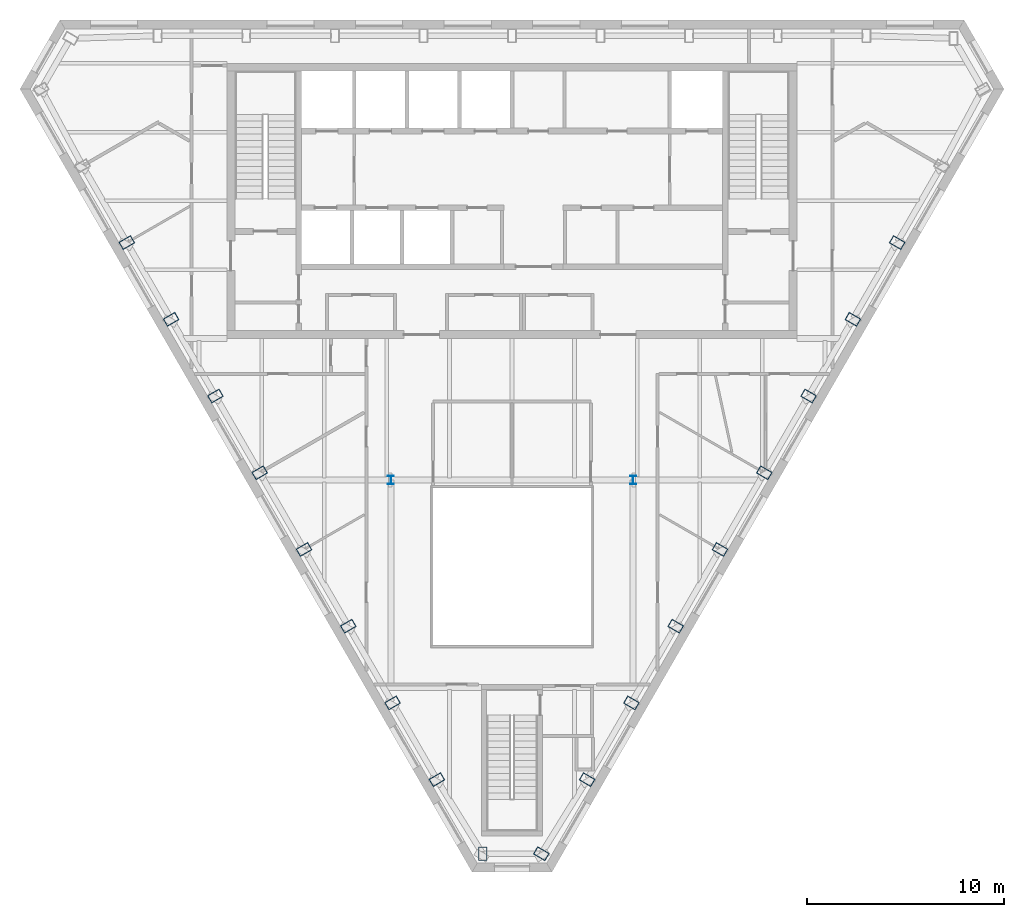
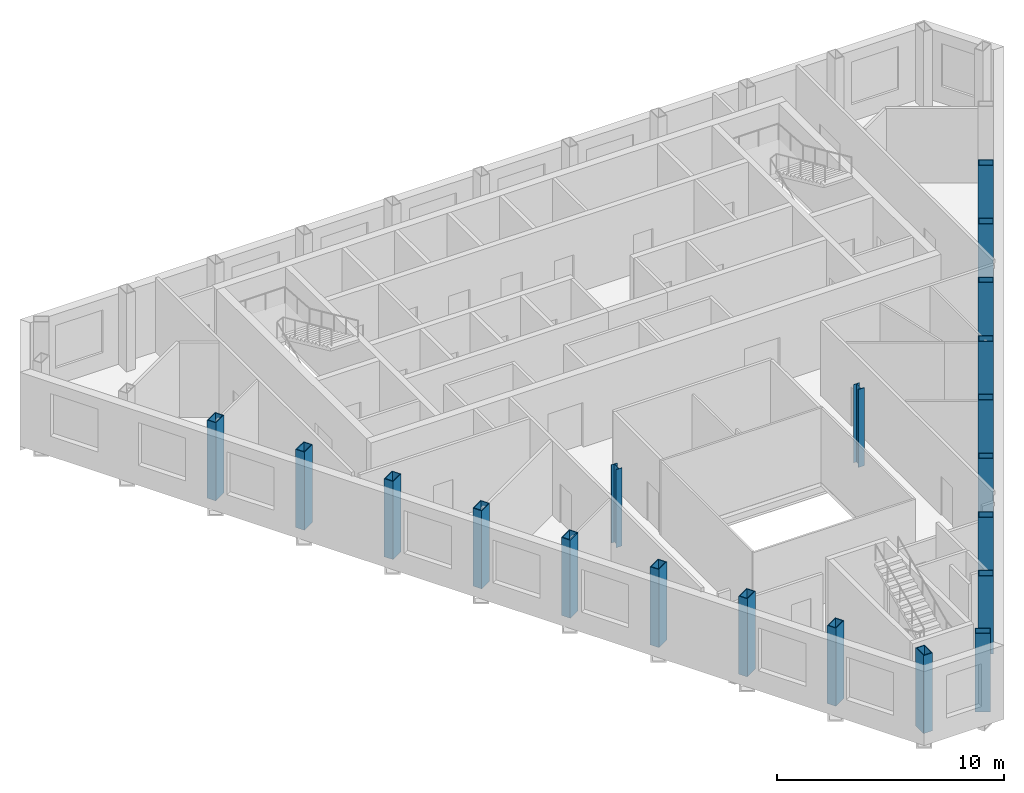
# One storey, part 1 of 10: 20 columns.
"""IFC4 building model written with IfcOpenShell, lengths in metres."""

from ifc_helpers import new_model, si_unit, direction, frame, origin, origin_2d, place, context, subcontext, project, spatial, hollow_rectangle, i_section, extrude, material, material_profile, profile_set, type_object, element, save


model = new_model("IFC4")

# Units and contexts
model_context = context("Model", 3, precision=1e-05, world=origin(), true_north=direction((0.0, 1.0)))
body_context = subcontext(model_context, "Body", "Model", "MODEL_VIEW")
ifc_project = project(units=[si_unit("LENGTHUNIT", "METRE"), si_unit("AREAUNIT", "SQUARE_METRE"), si_unit("VOLUMEUNIT", "CUBIC_METRE"), si_unit("PLANEANGLEUNIT", "RADIAN"), si_unit("MASSUNIT", "GRAM", prefix="KILO")], contexts=[model_context])

# Site, building, storey
site_placement = place(None, origin())
site = spatial("IfcSite", under=ifc_project, at=site_placement, CompositionType="ELEMENT")
building_placement = place(site_placement, origin())
building = spatial("IfcBuilding", under=site, at=building_placement, Name="Njiva Tower", CompositionType="ELEMENT")
storey_placement = place(building_placement, frame((0.0, 0.0, 329.4)))
storey = spatial("IfcBuildingStorey", under=building, at=storey_placement, Name="L75", CompositionType="ELEMENT", Elevation=329.4)

# Columns
ifc_material = material(Name="Steel S355 J2", Category="steel")
ifc_material_profile_1 = material_profile(ifc_material, hollow_rectangle(XDim=0.45, YDim=0.7, WallThickness=0.04, at=origin_2d()), Name="BOX 700x450x40")
ifc_profile_set_1 = profile_set([ifc_material_profile_1], Name="Steel S355 J2")
column_type_1 = type_object("IfcColumnType", Name="C15 Perimeter tube column BOX 700x450x40", PredefinedType="COLUMN", material=ifc_profile_set_1)
for number, where, z_axis, x_axis, name in (
    (1, (-19.595, 8.878, 0.0), (0.0, 0.0, 1.0), (0.5, -0.866025403784, 0.0), "Perimeter tube column S26-C14"),
    (2, (-17.341, 4.975, 0.0), (0.0, 0.0, 1.0), (0.5, -0.866025403784, 0.0), "Perimeter tube column S26-C15"),
    (3, (-15.088, 1.073, 0.0), (0.0, 0.0, 1.0), (0.5, -0.866025403784, 0.0), "Perimeter tube column S26-C16"),
    (4, (-12.835, -2.83, 0.0), (0.0, 0.0, 1.0), (0.5, -0.866025403784, 0.0), "Perimeter tube column S26-C17"),
    (5, (-10.581, -6.733, 0.0), (0.0, 0.0, 1.0), (0.5, -0.866025403784, 0.0), "Perimeter tube column S26-C18"),
    (6, (-8.328, -10.636, 0.0), (0.0, 0.0, 1.0), (0.5, -0.866025403784, 0.0), "Perimeter tube column S26-C19"),
    (7, (-6.075, -14.539, 0.0), (0.0, 0.0, 1.0), (0.5, -0.866025403784, 0.0), "Perimeter tube column S26-C20"),
    (8, (-3.821, -18.442, 0.0), (0.0, 0.0, 1.0), (0.5, -0.866025403784, 0.0), "Perimeter tube column S26-C21"),
    (9, (-1.491, -22.211, 0.0), (0.0, 0.0, 1.0), (1.0, 0.0, 0.0), "Perimeter tube column S26-C22"),
    (10, (1.491, -22.211, 0.0), (0.0, 0.0, 1.0), (0.5, 0.866025403784, 0.0), "Perimeter tube column S26-C23"),
    (11, (3.821, -18.442, 0.0), (0.0, 0.0, 1.0), (0.5, 0.866025403784, 0.0), "Perimeter tube column S26-C24"),
    (12, (6.075, -14.539, 0.0), (0.0, 0.0, 1.0), (0.5, 0.866025403784, 0.0), "Perimeter tube column S26-C25"),
    (13, (8.328, -10.636, 0.0), (0.0, 0.0, 1.0), (0.5, 0.866025403784, 0.0), "Perimeter tube column S26-C26"),
    (14, (10.581, -6.733, 0.0), (0.0, 0.0, 1.0), (0.5, 0.866025403784, 0.0), "Perimeter tube column S26-C27"),
    (15, (12.835, -2.83, 0.0), (0.0, 0.0, 1.0), (0.5, 0.866025403784, 0.0), "Perimeter tube column S26-C28"),
    (16, (15.088, 1.073, 0.0), (0.0, 0.0, 1.0), (0.5, 0.866025403784, 0.0), "Perimeter tube column S26-C29"),
    (17, (17.341, 4.975, 0.0), (0.0, 0.0, 1.0), (0.5, 0.866025403784, 0.0), "Perimeter tube column S26-C30"),
    (18, (19.595, 8.878, 0.0), (0.0, 0.0, 1.0), (0.5, 0.866025403784, 0.0), "Perimeter tube column S26-C31"),
):
    element("IfcColumn", number, at=place(storey_placement, frame(where, z_axis=z_axis, x_axis=x_axis)), inside=storey, type_object=column_type_1, Name=name, PredefinedType="COLUMN", context=body_context, shape_type="SweptSolid", body=[
        extrude(hollow_rectangle(XDim=0.45, YDim=0.7, WallThickness=0.04, at=origin_2d()), origin(), (0.0, 0.0, 1.0), 4.2),
    ])
ifc_material_profile_2 = material_profile(ifc_material, i_section(OverallWidth=0.3, OverallDepth=0.45, WebThickness=0.014, FlangeThickness=0.026, at=origin_2d()), Name="HEB 450")
ifc_profile_set_2 = profile_set([ifc_material_profile_2], Name="Steel S355 J2")
column_type_2 = type_object("IfcColumnType", Name="C16 Interior column HEB 450", PredefinedType="COLUMN", material=ifc_profile_set_2)
for number, where, z_axis, x_axis, name in (
    (19, (6.16, -3.2, 0.0), (0.0, 0.0, 1.0), (1.0, 0.0, 0.0), "Interior column S26-C34"),
    (20, (-6.16, -3.2, 0.0), (0.0, 0.0, 1.0), (1.0, 0.0, 0.0), "Interior column S26-C35"),
):
    element("IfcColumn", number, at=place(storey_placement, frame(where, z_axis=z_axis, x_axis=x_axis)), inside=storey, type_object=column_type_2, Name=name, PredefinedType="COLUMN", context=body_context, shape_type="SweptSolid", body=[
        extrude(i_section(OverallWidth=0.3, OverallDepth=0.45, WebThickness=0.014, FlangeThickness=0.026, at=origin_2d()), origin(), (0.0, 0.0, 1.0), 4.2),
    ])

save(model, "model.ifc")
